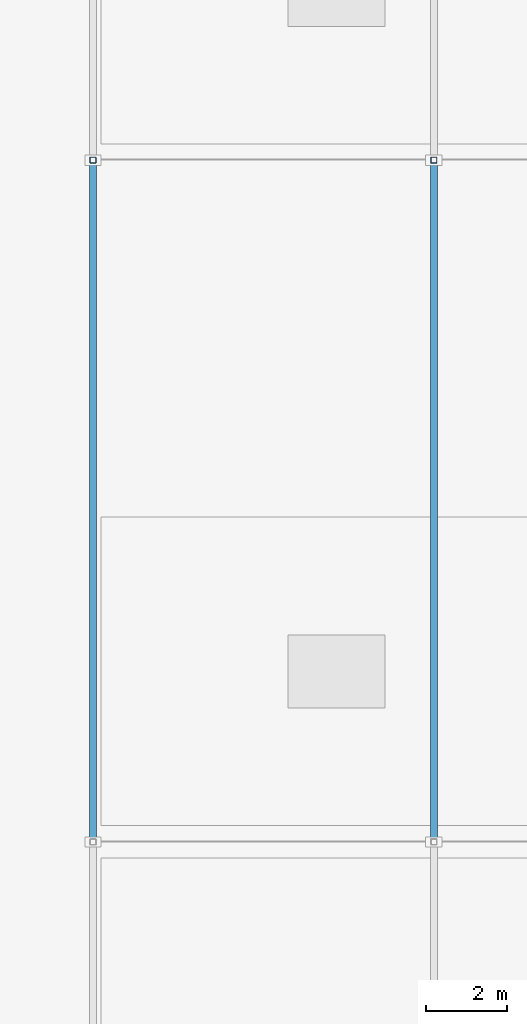
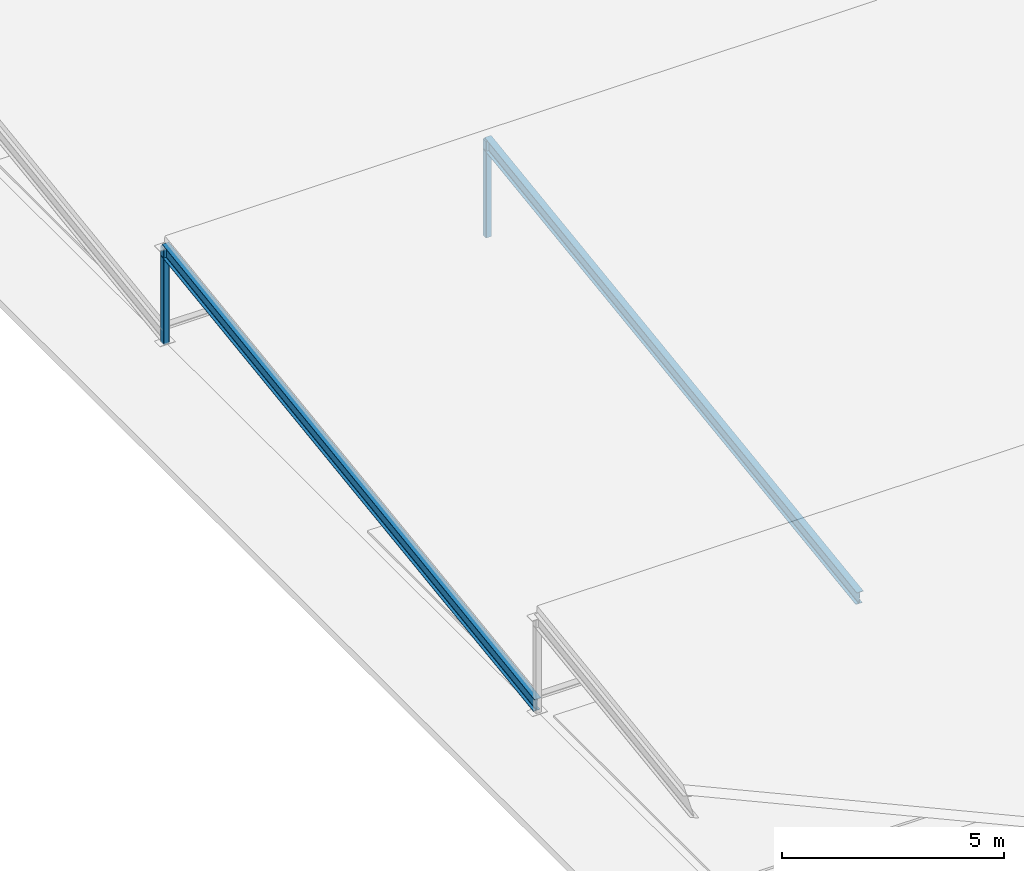
# One storey, part 3 of 12: 2 beams, 2 members.
"""IFC4 building model written with IfcOpenShell, lengths in metres."""

from ifc_helpers import new_model, si_unit, direction, frame, origin, origin_2d, place, context, subcontext, project, spatial, hollow_rectangle, i_section, extrude, material, material_profile, profile_set, type_object, element, save


model = new_model("IFC4")

# Units and contexts
model_context = context("Model", 3, precision=1e-05, world=origin(), true_north=direction((0.0, 1.0)))
body_context = subcontext(model_context, "Body", "Model", "MODEL_VIEW")
ifc_project = project(units=[si_unit("LENGTHUNIT", "METRE"), si_unit("AREAUNIT", "SQUARE_METRE"), si_unit("VOLUMEUNIT", "CUBIC_METRE"), si_unit("PLANEANGLEUNIT", "RADIAN"), si_unit("MASSUNIT", "GRAM", prefix="KILO")], contexts=[model_context])

# Site, building, storey
site_placement = place(None, origin())
site = spatial("IfcSite", under=ifc_project, at=site_placement, CompositionType="ELEMENT")
building_placement = place(site_placement, origin())
building = spatial("IfcBuilding", under=site, at=building_placement, Name="Varnapada Polytechnic", CompositionType="ELEMENT")
storey_placement = place(building_placement, frame((0.0, 0.0, 30.60009765625)))
storey = spatial("IfcBuildingStorey", under=building, at=storey_placement, Name="Roof", CompositionType="ELEMENT", Elevation=30.60009765625)

# Members
ifc_material = material(Name="Steel S355", Category="steel")
ifc_material_profile_1 = material_profile(ifc_material, hollow_rectangle(XDim=0.14990234375, YDim=0.14990234375, WallThickness=0.00634765625, InnerFilletRadius=0.006103515625, OuterFilletRadius=0.011962890625, at=origin_2d()), Name="SHS 150x150x6.3")
ifc_profile_set_1 = profile_set([ifc_material_profile_1], Name="Steel S355")
member_type = type_object("IfcMemberType", Name="Sawtooth north-light mullion post SFP-02 (SHS 150x150x6.3)", PredefinedType="POST", material=ifc_profile_set_1)
for number, where, z_axis, x_axis, name in (
    (1, (0.0, 92.39990234375, -0.02001953125), (0.0, 0.0, 1.0), (1.0, 0.0, 0.0), "Studio sawtooth north-light post 2.1"),
    (2, (8.39990234375, 92.39990234375, -0.02001953125), (0.0, 0.0, 1.0), (1.0, 0.0, 0.0), "Studio sawtooth north-light post 2.2"),
):
    element("IfcMember", number, at=place(storey_placement, frame(where, z_axis=z_axis, x_axis=x_axis)), inside=storey, type_object=member_type, Name=name, PredefinedType="POST", context=body_context, shape_type="SweptSolid", body=[
        extrude(hollow_rectangle(XDim=0.14990234375, YDim=0.14990234375, WallThickness=0.00634765625, InnerFilletRadius=0.006103515625, OuterFilletRadius=0.011962890625, at=origin_2d()), origin(), (0.0, 0.0, 1.0), 2.64990234375),
    ])

# Beams
ifc_material_profile_2 = material_profile(ifc_material, i_section(OverallWidth=0.169921875, OverallDepth=0.360107421875, WebThickness=0.008056640625, FlangeThickness=0.0126953125, FilletRadius=0.01806640625, at=origin_2d()), Name="IPE 360")
ifc_profile_set_2 = profile_set([ifc_material_profile_2], Name="Steel S355")
beam_type = type_object("IfcBeamType", Name="Sawtooth studio roof rafter SB-03 (IPE 360)", PredefinedType="BEAM", material=ifc_profile_set_2)
for number, where, z_axis, x_axis, name in (
    (3, (0.0, 75.60009765625, 0.18994140625), (0.0, 0.990277776684, 0.139104007868), (-1.0, 0.0, 0.0), "Studio sawtooth rafter 2.1"),
    (4, (8.39990234375, 75.60009765625, 0.18994140625), (0.0, 0.990277776684, 0.139104007868), (-1.0, 0.0, 0.0), "Studio sawtooth rafter 2.2"),
):
    element("IfcBeam", number, at=place(storey_placement, frame(where, z_axis=z_axis, x_axis=x_axis)), inside=storey, type_object=beam_type, Name=name, PredefinedType="BEAM", context=body_context, shape_type="SweptSolid", body=[
        extrude(i_section(OverallWidth=0.169921875, OverallDepth=0.360107421875, WebThickness=0.008056640625, FlangeThickness=0.0126953125, FilletRadius=0.01806640625, at=origin_2d()), origin(), (0.0, 0.0, 1.0), 16.96484375),
    ])

save(model, "model.ifc")
